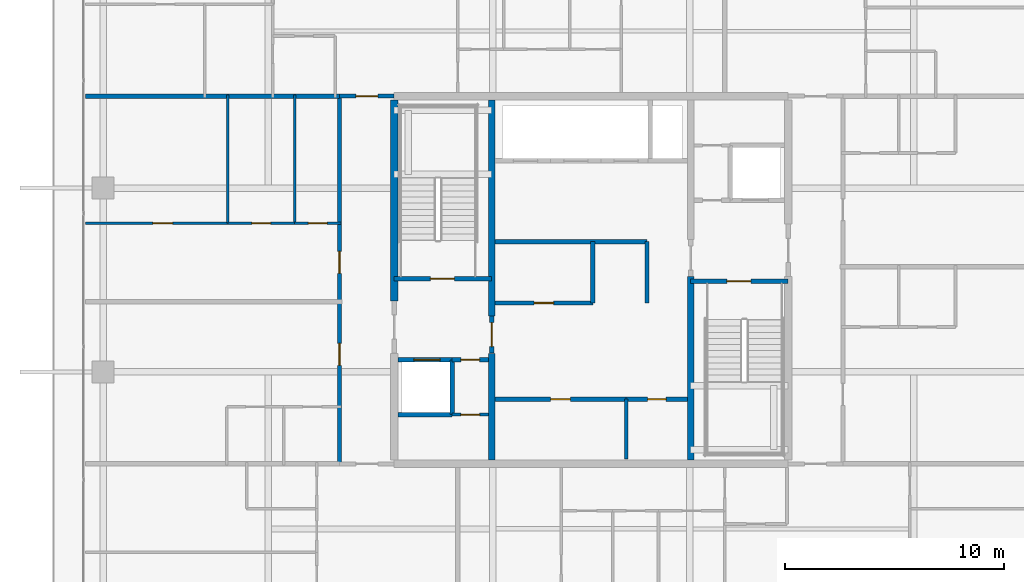
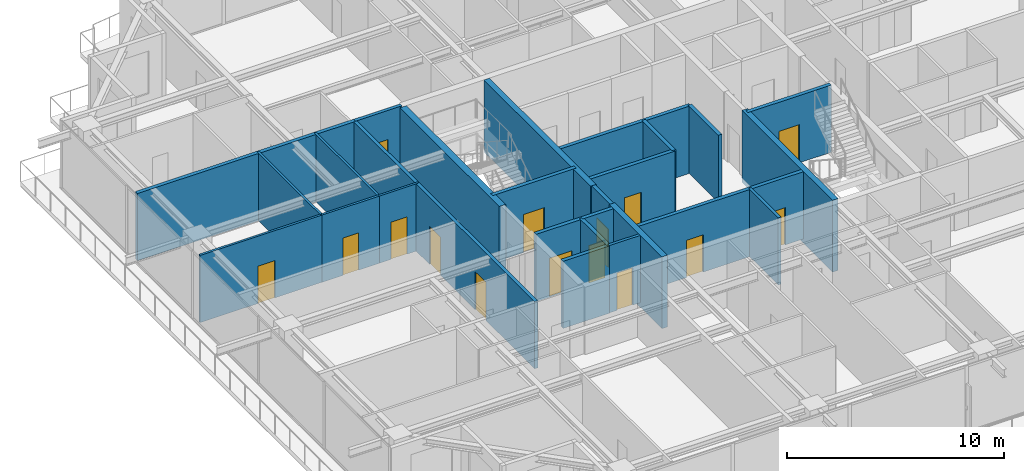
# One storey, part 29 of 40: 27 walls, 15 doors, 15 openings.
"""IFC4 building model written with IfcOpenShell, lengths in metres."""

from ifc_helpers import new_model, si_unit, direction, frame, frame_2d, origin, place, context, subcontext, project, spatial, rectangle, extrude, source, transform, mapped, material, layer, layer_set, type_object, element, fill, save


model = new_model("IFC4")

# Units and contexts
model_context = context("Model", 3, precision=1e-05, world=origin(), true_north=direction((0.0, 1.0)))
body_context = subcontext(model_context, "Body", "Model", "MODEL_VIEW")
ifc_project = project(units=[si_unit("LENGTHUNIT", "METRE"), si_unit("AREAUNIT", "SQUARE_METRE"), si_unit("VOLUMEUNIT", "CUBIC_METRE"), si_unit("PLANEANGLEUNIT", "RADIAN"), si_unit("MASSUNIT", "GRAM", prefix="KILO")], contexts=[model_context])

# Site, building, storey
site_placement = place(None, origin())
site = spatial("IfcSite", under=ifc_project, at=site_placement, CompositionType="ELEMENT")
building_placement = place(site_placement, origin())
building = spatial("IfcBuilding", under=site, at=building_placement, Name="Serunith Strait Residences", CompositionType="ELEMENT")
storey_placement = place(building_placement, frame((0.0, 0.0, 313.699951171875)))
storey = spatial("IfcBuildingStorey", under=building, at=storey_placement, Name="L78", CompositionType="ELEMENT", Elevation=313.699951171875)

# Wall, opening, door
ifc_material_1 = material(Name="Fire-rated masonry service closet wall", Category="masonry")
ifc_layer_1 = layer(ifc_material_1, 0.14990234375, Name="Fire-rated masonry service closet wall")
ifc_layer_set_1 = layer_set([ifc_layer_1], Name="Fire-rated masonry service closet wall")
wall_type_1 = type_object("IfcWallType", Name="IW-BOH-150", PredefinedType="PARTITIONING", material=ifc_layer_set_1)
wall_1_placement = place(storey_placement, frame((26.052001953125, 19.050048828125, 0.0), z_axis=(0.0, 0.0, 1.0), x_axis=(1.0, 0.0, 0.0)))
wall_1 = element("IfcWall", 1, at=wall_1_placement, inside=storey, type_object=wall_type_1, Name="L78 Partition Wall 011", PredefinedType="PARTITIONING", context=body_context, shape_type="SweptSolid", body=[
    extrude(rectangle(XDim=1.64794921875, YDim=0.14990234375, at=frame_2d((0.823974609375, 0.0))), origin(), (0.0, 0.0, 1.0), 3.7900390625),
])
opening_1_placement = place(wall_1_placement, frame((0.39892578125, 0.0, 0.0)))
opening_1 = element("IfcOpeningElement", 2, at=opening_1_placement, cuts=wall_1, Name="Opening FD-850", PredefinedType="OPENING", context=body_context, shape_type="SweptSolid", body=[
    extrude(rectangle(XDim=0.85009765625, YDim=2.10009765625, at=frame_2d((0.425048828125, 1.050048828125))), frame((0.0, 0.0849609375, 0.0), z_axis=(0.0, -1.0, 0.0), x_axis=(1.0, 0.0, 0.0)), (0.0, 0.0, 1.0), 0.169921875),
])
ifc_material_2 = material(Name="Powder-coated steel service closet door", Category="steel")
door_type_1 = type_object("IfcDoorType", Name="FD-BOH-850", OperationType="NOTDEFINED", PredefinedType="DOOR", material=ifc_material_2)
shared_shape_1 = source(origin(), body_context, "Body", "SweptSolid", [
    extrude(rectangle(XDim=0.85009765625, YDim=2.10009765625, at=frame_2d((0.425048828125, 1.050048828125))), frame((0.0, 0.02490234375, 0.0), z_axis=(0.0, -1.0, 0.0), x_axis=(1.0, 0.0, 0.0)), (0.0, 0.0, 1.0), 0.050048828125),
])
door_1_placement = place(opening_1_placement, origin())
door_1 = element("IfcDoor", 3, at=door_1_placement, inside=storey, type_object=door_type_1, Name="L78 Water Meter Door", OperationType="SINGLE_SWING_RIGHT", OverallHeight=2.10009765625, OverallWidth=0.85009765625, PredefinedType="DOOR", context=body_context, shape_type="MappedRepresentation", body=[
    mapped(shared_shape_1, transform((0.0, 0.0, 0.0), scale=1.0)),
])
fill(opening_1, door_1)

# Wall
wall_2_placement = place(storey_placement, frame((34.0, 17.02001953125, 0.0), z_axis=(0.0, 0.0, 1.0), x_axis=(0.0, 1.0, 0.0)))
element("IfcWall", 4, at=wall_2_placement, inside=storey, type_object=wall_type_1, Name="L78 Partition Wall 015", PredefinedType="PARTITIONING", context=body_context, shape_type="SweptSolid", body=[
    extrude(rectangle(XDim=2.72998046875, YDim=0.14990234375, at=frame_2d((1.364990234375, 0.0))), origin(), (0.0, 0.0, 1.0), 3.7900390625),
])

# Wall, opening, door
ifc_material_3 = material(Name="Fire-rated acoustic gypsum partition")
ifc_layer_2 = layer(ifc_material_3, 0.179931640625, Name="Fire-rated acoustic gypsum partition")
ifc_layer_set_2 = layer_set([ifc_layer_2], Name="Fire-rated acoustic gypsum partition")
wall_type_2 = type_object("IfcWallType", Name="IW-CORR-180", PredefinedType="PARTITIONING", material=ifc_layer_set_2)
wall_3_placement = place(storey_placement, frame((20.902099609375, 33.60009765625, 0.0), z_axis=(0.0, 0.0, 1.0), x_axis=(1.0, 0.0, 0.0)))
wall_3 = element("IfcWall", 5, at=wall_3_placement, inside=storey, type_object=wall_type_2, Name="L78 Partition Wall 029", PredefinedType="PARTITIONING", context=body_context, shape_type="SweptSolid", body=[
    extrude(rectangle(XDim=2.495849609375, YDim=0.179931640625, at=frame_2d((1.248046875, 0.0))), origin(), (0.0, 0.0, 1.0), 3.7900390625),
])
opening_2_placement = place(wall_3_placement, frame((0.748046875, 0.0, 0.0)))
opening_2 = element("IfcOpeningElement", 6, at=opening_2_placement, cuts=wall_3, Name="Opening D-APT1000", PredefinedType="OPENING", context=body_context, shape_type="SweptSolid", body=[
    extrude(rectangle(XDim=1.0, YDim=2.14990234375, at=frame_2d((0.5, 1.074951171875))), frame((0.0, 0.10009765625, 0.0), z_axis=(0.0, -1.0, 0.0), x_axis=(1.0, 0.0, 0.0)), (0.0, 0.0, 1.0), 0.199951171875),
])
ifc_material_4 = material(Name="Solid timber engineered fire door", Category="wood")
door_type_2 = type_object("IfcDoorType", Name="ID-APT-1000", OperationType="NOTDEFINED", PredefinedType="DOOR", material=ifc_material_4)
shared_shape_2 = source(origin(), body_context, "Body", "SweptSolid", [
    extrude(rectangle(XDim=1.0, YDim=2.14990234375, at=frame_2d((0.5, 1.074951171875))), frame((0.0, 0.02490234375, 0.0), z_axis=(0.0, -1.0, 0.0), x_axis=(1.0, 0.0, 0.0)), (0.0, 0.0, 1.0), 0.050048828125),
])
door_2_placement = place(opening_2_placement, origin())
door_2 = element("IfcDoor", 7, at=door_2_placement, inside=storey, type_object=door_type_2, Name="L78 Unit 03 Entrance Door", OperationType="SINGLE_SWING_RIGHT", OverallHeight=2.14990234375, OverallWidth=1.0, PredefinedType="DOOR", context=body_context, shape_type="MappedRepresentation", body=[
    mapped(shared_shape_2, transform((0.0, 0.0, 0.0), scale=1.0)),
])
fill(opening_2, door_2)

# Wall, openings, doors
wall_4_placement = place(storey_placement, frame((20.89990234375, 16.800048828125, 0.0), z_axis=(0.0, 0.0, 1.0), x_axis=(0.0, 1.0, 0.0)))
wall_4 = element("IfcWall", 8, at=wall_4_placement, inside=storey, type_object=wall_type_2, Name="L78 Partition Wall 030", PredefinedType="PARTITIONING", context=body_context, shape_type="SweptSolid", body=[
    extrude(rectangle(XDim=16.800048828125, YDim=0.179931640625, at=frame_2d((8.39990234375, 0.0))), origin(), (0.0, 0.0, 1.0), 3.7900390625),
])
opening_3_placement = place(wall_4_placement, frame((4.5029296875, 0.0, 0.0)))
opening_3 = element("IfcOpeningElement", 9, at=opening_3_placement, cuts=wall_4, Name="Opening D-APT1000", PredefinedType="OPENING", context=body_context, shape_type="SweptSolid", body=[
    extrude(rectangle(XDim=1.0, YDim=2.14990234375, at=frame_2d((0.5, 1.074951171875))), frame((0.0, 0.10009765625, 0.0), z_axis=(0.0, -1.0, 0.0), x_axis=(1.0, 0.0, 0.0)), (0.0, 0.0, 1.0), 0.199951171875),
])
opening_4_placement = place(wall_4_placement, frame((8.7060546875, 0.0, 0.0)))
opening_4 = element("IfcOpeningElement", 10, at=opening_4_placement, cuts=wall_4, Name="Opening D-APT1000", PredefinedType="OPENING", context=body_context, shape_type="SweptSolid", body=[
    extrude(rectangle(XDim=1.0, YDim=2.14990234375, at=frame_2d((0.5, 1.074951171875))), frame((0.0, 0.10009765625, 0.0), z_axis=(0.0, -1.0, 0.0), x_axis=(1.0, 0.0, 0.0)), (0.0, 0.0, 1.0), 0.199951171875),
])
door_3_placement = place(opening_3_placement, origin())
door_3 = element("IfcDoor", 11, at=door_3_placement, inside=storey, type_object=door_type_2, Name="L78 Unit 05 Entrance Door", OperationType="SINGLE_SWING_LEFT", OverallHeight=2.14990234375, OverallWidth=1.0, PredefinedType="DOOR", context=body_context, shape_type="MappedRepresentation", body=[
    mapped(shared_shape_2, transform((0.0, 0.0, 0.0), scale=1.0)),
])
fill(opening_3, door_3)
door_4_placement = place(opening_4_placement, origin())
door_4 = element("IfcDoor", 12, at=door_4_placement, inside=storey, type_object=door_type_2, Name="L78 Unit 06 Entrance Door", OperationType="SINGLE_SWING_RIGHT", OverallHeight=2.14990234375, OverallWidth=1.0, PredefinedType="DOOR", context=body_context, shape_type="MappedRepresentation", body=[
    mapped(shared_shape_2, transform((0.0, 0.0, 0.0), scale=1.0)),
])
fill(opening_4, door_4)

# Wall, opening, door
ifc_material_5 = material(Name="Lightweight steel-stud gypsum partition", Category="steel")
ifc_layer_3 = layer(ifc_material_5, 0.1201171875, Name="Lightweight steel-stud gypsum partition")
ifc_layer_set_3 = layer_set([ifc_layer_3], Name="Lightweight steel-stud gypsum partition")
wall_type_3 = type_object("IfcWallType", Name="IW-PART-120", PredefinedType="PARTITIONING", material=ifc_layer_set_3)
wall_5_placement = place(storey_placement, frame((9.294921875, 27.800048828125, 0.0), z_axis=(0.0, 0.0, 1.0), x_axis=(1.0, 0.0, 0.0)))
wall_5 = element("IfcWall", 13, at=wall_5_placement, inside=storey, type_object=wall_type_3, Name="L78 Partition Wall 096", PredefinedType="PARTITIONING", context=body_context, shape_type="SweptSolid", body=[
    extrude(rectangle(XDim=6.502197265625, YDim=0.1201171875, at=frame_2d((3.2509765625, 0.0))), origin(), (0.0, 0.0, 1.0), 3.7900390625),
])
opening_5_placement = place(wall_5_placement, frame((3.0810546875, 0.0, 0.0)))
opening_5 = element("IfcOpeningElement", 14, at=opening_5_placement, cuts=wall_5, Name="Opening D-RM900", PredefinedType="OPENING", context=body_context, shape_type="SweptSolid", body=[
    extrude(rectangle(XDim=0.89990234375, YDim=2.10009765625, at=frame_2d((0.449951171875, 1.050048828125))), frame((0.0, 0.070068359375, 0.0), z_axis=(0.0, -1.0, 0.0), x_axis=(1.0, 0.0, 0.0)), (0.0, 0.0, 1.0), 0.14013671875),
])
ifc_material_6 = material(Name="Engineered timber flush bedroom door", Category="wood")
door_type_3 = type_object("IfcDoorType", Name="ID-ROOM-900", OperationType="NOTDEFINED", PredefinedType="DOOR", material=ifc_material_6)
shared_shape_3 = source(origin(), body_context, "Body", "SweptSolid", [
    extrude(rectangle(XDim=0.89990234375, YDim=2.10009765625, at=frame_2d((0.449951171875, 1.050048828125))), frame((0.0, 0.02490234375, 0.0), z_axis=(0.0, -1.0, 0.0), x_axis=(1.0, 0.0, 0.0)), (0.0, 0.0, 1.0), 0.050048828125),
])
door_5_placement = place(opening_5_placement, origin())
door_5 = element("IfcDoor", 15, at=door_5_placement, inside=storey, type_object=door_type_3, Name="L78 Master Bedroom 1 7806 Door", OperationType="SINGLE_SWING_LEFT", OverallHeight=2.10009765625, OverallWidth=0.89990234375, PredefinedType="DOOR", context=body_context, shape_type="MappedRepresentation", body=[
    mapped(shared_shape_3, transform((0.0, 0.0, 0.0), scale=1.0)),
])
fill(opening_5, door_5)

# Walls
for number, where, z_axis, x_axis, name in (
    (16, (15.797119140625, 27.800048828125, 0.0), (0.0, 0.0, 1.0), (0.0, 1.0, 0.0), "L78 Partition Wall 097"),
    (17, (18.85009765625, 27.800048828125, 0.0), (0.0, 0.0, 1.0), (0.0, 1.0, 0.0), "L78 Partition Wall 098"),
):
    element("IfcWall", number, at=place(storey_placement, frame(where, z_axis=z_axis, x_axis=x_axis)), inside=storey, type_object=wall_type_3, Name=name, PredefinedType="PARTITIONING", context=body_context, shape_type="SweptSolid", body=[
        extrude(rectangle(XDim=5.85986328125, YDim=0.1201171875, at=frame_2d((2.929931640625, 0.0))), origin(), (0.0, 0.0, 1.0), 3.7900390625),
    ])

# Wall, opening, door
wall_6_placement = place(storey_placement, frame((15.799072265625, 27.800048828125, 0.0), z_axis=(0.0, 0.0, 1.0), x_axis=(1.0, 0.0, 0.0)))
wall_6 = element("IfcWall", 18, at=wall_6_placement, inside=storey, type_object=wall_type_3, Name="L78 Partition Wall 099", PredefinedType="PARTITIONING", context=body_context, shape_type="SweptSolid", body=[
    extrude(rectangle(XDim=3.051025390625, YDim=0.1201171875, at=frame_2d((1.525390625, 0.0))), origin(), (0.0, 0.0, 1.0), 3.7900390625),
])
opening_6_placement = place(wall_6_placement, frame((1.10107421875, 0.0, 0.0)))
opening_6 = element("IfcOpeningElement", 19, at=opening_6_placement, cuts=wall_6, Name="Opening D-RM850", PredefinedType="OPENING", context=body_context, shape_type="SweptSolid", body=[
    extrude(rectangle(XDim=0.85009765625, YDim=2.10009765625, at=frame_2d((0.425048828125, 1.050048828125))), frame((0.0, 0.070068359375, 0.0), z_axis=(0.0, -1.0, 0.0), x_axis=(1.0, 0.0, 0.0)), (0.0, 0.0, 1.0), 0.14013671875),
])
ifc_material_7 = material(Name="Engineered timber flush study and kitchen door", Category="wood")
door_type_4 = type_object("IfcDoorType", Name="ID-ROOM-850", OperationType="NOTDEFINED", PredefinedType="DOOR", material=ifc_material_7)
door_6_placement = place(opening_6_placement, origin())
door_6 = element("IfcDoor", 20, at=door_6_placement, inside=storey, type_object=door_type_4, Name="L78 Kitchen 7806 Door", OperationType="SINGLE_SWING_RIGHT", OverallHeight=2.10009765625, OverallWidth=0.85009765625, PredefinedType="DOOR", context=body_context, shape_type="MappedRepresentation", body=[
    mapped(shared_shape_1, transform((0.0, 0.0, 0.0), scale=1.0)),
])
fill(opening_6, door_6)

wall_7_placement = place(storey_placement, frame((18.85205078125, 27.800048828125, 0.0), z_axis=(0.0, 0.0, 1.0), x_axis=(1.0, 0.0, 0.0)))
wall_7 = element("IfcWall", 21, at=wall_7_placement, inside=storey, type_object=wall_type_3, Name="L78 Partition Wall 100", PredefinedType="PARTITIONING", context=body_context, shape_type="SweptSolid", body=[
    extrude(rectangle(XDim=2.10791015625, YDim=0.1201171875, at=frame_2d((1.053955078125, 0.0))), origin(), (0.0, 0.0, 1.0), 3.7900390625),
])
opening_7_placement = place(wall_7_placement, frame((0.62890625, 0.0, 0.0)))
opening_7 = element("IfcOpeningElement", 22, at=opening_7_placement, cuts=wall_7, Name="Opening D-BTH850", PredefinedType="OPENING", context=body_context, shape_type="SweptSolid", body=[
    extrude(rectangle(XDim=0.85009765625, YDim=2.10009765625, at=frame_2d((0.425048828125, 1.050048828125))), frame((0.0, 0.070068359375, 0.0), z_axis=(0.0, -1.0, 0.0), x_axis=(1.0, 0.0, 0.0)), (0.0, 0.0, 1.0), 0.14013671875),
])
ifc_material_8 = material(Name="Moisture-resistant timber bathroom door", Category="wood")
door_type_5 = type_object("IfcDoorType", Name="ID-BATH-850", OperationType="NOTDEFINED", PredefinedType="DOOR", material=ifc_material_8)
door_7_placement = place(opening_7_placement, origin())
door_7 = element("IfcDoor", 23, at=door_7_placement, inside=storey, type_object=door_type_5, Name="L78 Bathroom 7806 Door", OperationType="SINGLE_SWING_LEFT", OverallHeight=2.10009765625, OverallWidth=0.85009765625, PredefinedType="DOOR", context=body_context, shape_type="MappedRepresentation", body=[
    mapped(shared_shape_1, transform((0.0, 0.0, 0.0), scale=1.0)),
])
fill(opening_7, door_7)

# Wall
ifc_material_9 = material(Name="Twin-stud acoustic gypsum board partition")
ifc_layer_4 = layer(ifc_material_9, 0.199951171875, Name="Twin-stud acoustic gypsum board partition")
ifc_layer_set_4 = layer_set([ifc_layer_4], Name="Twin-stud acoustic gypsum board partition")
wall_type_4 = type_object("IfcWallType", Name="IW-PARTY-200", PredefinedType="PARTITIONING", material=ifc_layer_set_4)
wall_8_placement = place(storey_placement, frame((9.281982421875, 33.60009765625, 0.0), z_axis=(0.0, 0.0, 1.0), x_axis=(1.0, 0.0, 0.0)))
element("IfcWall", 24, at=wall_8_placement, inside=storey, type_object=wall_type_4, Name="L78 Partition Wall 026", PredefinedType="PARTITIONING", context=body_context, shape_type="SweptSolid", body=[
    extrude(rectangle(XDim=11.617919921875, YDim=0.199951171875, at=frame_2d((5.80908203125, 0.0))), origin(), (0.0, 0.0, 1.0), 3.7900390625),
])

# Wall, opening, door
ifc_material_10 = material(Name="Autoclaved aerated concrete blockwork", Category="masonry")
ifc_layer_5 = layer(ifc_material_10, 0.199951171875, Name="Autoclaved aerated concrete blockwork")
ifc_layer_set_5 = layer_set([ifc_layer_5], Name="Autoclaved aerated concrete blockwork")
wall_type_5 = type_object("IfcWallType", Name="IW-SHAFT-200", PredefinedType="STANDARD", material=ifc_layer_set_5)
wall_9_placement = place(storey_placement, frame((23.39990234375, 25.25, 0.0), z_axis=(0.0, 0.0, 1.0), x_axis=(1.0, 0.0, 0.0)))
wall_9 = element("IfcWall", 25, at=wall_9_placement, inside=storey, type_object=wall_type_5, Name="L78 ST-1 South Shaft Wall", PredefinedType="STANDARD", context=body_context, shape_type="SweptSolid", body=[
    extrude(rectangle(XDim=4.4501953125, YDim=0.199951171875, at=frame_2d((2.22509765625, 0.0))), origin(), (0.0, 0.0, 1.0), 3.7900390625),
])
opening_8_placement = place(wall_9_placement, frame((1.64990234375, 0.0, 0.0)))
opening_8 = element("IfcOpeningElement", 26, at=opening_8_placement, cuts=wall_9, Name="Opening FD-1100", PredefinedType="OPENING", context=body_context, shape_type="SweptSolid", body=[
    extrude(rectangle(XDim=1.10009765625, YDim=2.14990234375, at=frame_2d((0.550048828125, 1.074951171875))), frame((0.0, 0.10986328125, 0.0), z_axis=(0.0, -1.0, 0.0), x_axis=(1.0, 0.0, 0.0)), (0.0, 0.0, 1.0), 0.219970703125),
])
ifc_material_11 = material(Name="Galvanised steel fire door leaf", Category="steel")
door_type_6 = type_object("IfcDoorType", Name="FD-STAIR-1100", OperationType="NOTDEFINED", PredefinedType="DOOR", material=ifc_material_11)
shared_shape_4 = source(origin(), body_context, "Body", "SweptSolid", [
    extrude(rectangle(XDim=1.10009765625, YDim=2.14990234375, at=frame_2d((0.550048828125, 1.074951171875))), frame((0.0, 0.02490234375, 0.0), z_axis=(0.0, -1.0, 0.0), x_axis=(1.0, 0.0, 0.0)), (0.0, 0.0, 1.0), 0.050048828125),
])
door_8_placement = place(opening_8_placement, origin())
door_8 = element("IfcDoor", 27, at=door_8_placement, inside=storey, type_object=door_type_6, Name="L78 ST-1 Escape Stair Door", OperationType="SINGLE_SWING_RIGHT", OverallHeight=2.14990234375, OverallWidth=1.10009765625, PredefinedType="DOOR", context=body_context, shape_type="MappedRepresentation", body=[
    mapped(shared_shape_4, transform((0.0, 0.0, 0.0), scale=1.0)),
])
fill(opening_8, door_8)

wall_10_placement = place(storey_placement, frame((36.949951171875, 25.14990234375, 0.0), z_axis=(0.0, 0.0, 1.0), x_axis=(1.0, 0.0, 0.0)))
wall_10 = element("IfcWall", 28, at=wall_10_placement, inside=storey, type_object=wall_type_5, Name="L78 ST-2 North Shaft Wall", PredefinedType="STANDARD", context=body_context, shape_type="SweptSolid", body=[
    extrude(rectangle(XDim=4.449951171875, YDim=0.199951171875, at=frame_2d((2.22509765625, 0.0))), origin(), (0.0, 0.0, 1.0), 3.7900390625),
])
opening_9_placement = place(wall_10_placement, frame((1.64990234375, 0.0, 0.0)))
opening_9 = element("IfcOpeningElement", 29, at=opening_9_placement, cuts=wall_10, Name="Opening FD-1100", PredefinedType="OPENING", context=body_context, shape_type="SweptSolid", body=[
    extrude(rectangle(XDim=1.10009765625, YDim=2.14990234375, at=frame_2d((0.550048828125, 1.074951171875))), frame((0.0, 0.10986328125, 0.0), z_axis=(0.0, -1.0, 0.0), x_axis=(1.0, 0.0, 0.0)), (0.0, 0.0, 1.0), 0.219970703125),
])
door_9_placement = place(opening_9_placement, origin())
door_9 = element("IfcDoor", 30, at=door_9_placement, inside=storey, type_object=door_type_6, Name="L78 ST-2 Escape Stair Door", OperationType="SINGLE_SWING_LEFT", OverallHeight=2.14990234375, OverallWidth=1.10009765625, PredefinedType="DOOR", context=body_context, shape_type="MappedRepresentation", body=[
    mapped(shared_shape_4, transform((0.0, 0.0, 0.0), scale=1.0)),
])
fill(opening_9, door_9)

wall_11_placement = place(storey_placement, frame((23.574951171875, 21.550048828125, 0.0), z_axis=(0.0, 0.0, 1.0), x_axis=(1.0, 0.0, 0.0)))
wall_11 = element("IfcWall", 31, at=wall_11_placement, inside=storey, type_object=wall_type_5, Name="L78 FL-1 North Shaft Wall", PredefinedType="STANDARD", context=body_context, shape_type="SweptSolid", body=[
    extrude(rectangle(XDim=2.47509765625, YDim=0.199951171875, at=frame_2d((1.237548828125, 0.0))), origin(), (0.0, 0.0, 1.0), 3.7900390625),
])
opening_10_placement = place(wall_11_placement, frame((0.72509765625, 0.0, 0.0)))
opening_10 = element("IfcOpeningElement", 32, at=opening_10_placement, cuts=wall_11, Name="Opening LD-FF1200", PredefinedType="OPENING", context=body_context, shape_type="SweptSolid", body=[
    extrude(rectangle(XDim=1.199951171875, YDim=2.199951171875, at=frame_2d((0.60009765625, 1.10009765625))), frame((0.0, 0.10986328125, 0.0), z_axis=(0.0, -1.0, 0.0), x_axis=(1.0, 0.0, 0.0)), (0.0, 0.0, 1.0), 0.219970703125),
])
ifc_material_12 = material(Name="Brushed stainless steel landing door", Category="steel")
door_type_7 = type_object("IfcDoorType", Name="LD-FF-1200", OperationType="DOUBLE_DOOR_SLIDING", PredefinedType="DOOR", material=ifc_material_12)
shared_shape_5 = source(origin(), body_context, "Body", "SweptSolid", [
    extrude(rectangle(XDim=1.199951171875, YDim=2.199951171875, at=frame_2d((0.60009765625, 1.10009765625))), frame((0.0, 0.02490234375, 0.0), z_axis=(0.0, -1.0, 0.0), x_axis=(1.0, 0.0, 0.0)), (0.0, 0.0, 1.0), 0.050048828125),
])
door_10_placement = place(opening_10_placement, origin())
door_10 = element("IfcDoor", 33, at=door_10_placement, inside=storey, type_object=door_type_7, Name="L78 FL-1 Landing Door", OperationType="DOUBLE_DOOR_SLIDING", OverallHeight=2.199951171875, OverallWidth=1.199951171875, PredefinedType="DOOR", context=body_context, shape_type="MappedRepresentation", body=[
    mapped(shared_shape_5, transform((0.0, 0.0, 0.0), scale=1.0)),
])
fill(opening_10, door_10)

# Walls
wall_12_placement = place(storey_placement, frame((26.050048828125, 19.050048828125, 0.0), z_axis=(0.0, 0.0, 1.0), x_axis=(0.0, 1.0, 0.0)))
element("IfcWall", 34, at=wall_12_placement, inside=storey, type_object=wall_type_5, Name="L78 Partition Wall 001", PredefinedType="STANDARD", context=body_context, shape_type="SweptSolid", body=[
    extrude(rectangle(XDim=2.5, YDim=0.199951171875, at=frame_2d((1.25, 0.0))), origin(), (0.0, 0.0, 1.0), 3.7900390625),
])
wall_13_placement = place(storey_placement, frame((23.574951171875, 19.050048828125, 0.0), z_axis=(0.0, 0.0, 1.0), x_axis=(1.0, 0.0, 0.0)))
element("IfcWall", 35, at=wall_13_placement, inside=storey, type_object=wall_type_5, Name="L78 Partition Wall 002", PredefinedType="STANDARD", context=body_context, shape_type="SweptSolid", body=[
    extrude(rectangle(XDim=2.47509765625, YDim=0.199951171875, at=frame_2d((1.237548828125, 0.0))), origin(), (0.0, 0.0, 1.0), 3.7900390625),
])

# Wall, opening, door
wall_14_placement = place(storey_placement, frame((26.052001953125, 21.550048828125, 0.0), z_axis=(0.0, 0.0, 1.0), x_axis=(1.0, 0.0, 0.0)))
wall_14 = element("IfcWall", 36, at=wall_14_placement, inside=storey, type_object=wall_type_5, Name="L78 Partition Wall 003", PredefinedType="STANDARD", context=body_context, shape_type="SweptSolid", body=[
    extrude(rectangle(XDim=1.64794921875, YDim=0.199951171875, at=frame_2d((0.823974609375, 0.0))), origin(), (0.0, 0.0, 1.0), 3.7900390625),
])
opening_11_placement = place(wall_14_placement, frame((0.39892578125, 0.0, 0.0)))
opening_11 = element("IfcOpeningElement", 37, at=opening_11_placement, cuts=wall_14, Name="Opening FD-850", PredefinedType="OPENING", context=body_context, shape_type="SweptSolid", body=[
    extrude(rectangle(XDim=0.85009765625, YDim=2.10009765625, at=frame_2d((0.425048828125, 1.050048828125))), frame((0.0, 0.10986328125, 0.0), z_axis=(0.0, -1.0, 0.0), x_axis=(1.0, 0.0, 0.0)), (0.0, 0.0, 1.0), 0.219970703125),
])
door_11_placement = place(opening_11_placement, origin())
door_11 = element("IfcDoor", 38, at=door_11_placement, inside=storey, type_object=door_type_1, Name="L78 South-West Core Service Door", OperationType="SINGLE_SWING_RIGHT", OverallHeight=2.10009765625, OverallWidth=0.85009765625, PredefinedType="DOOR", context=body_context, shape_type="MappedRepresentation", body=[
    mapped(shared_shape_1, transform((0.0, 0.0, 0.0), scale=1.0)),
])
fill(opening_11, door_11)

wall_15_placement = place(storey_placement, frame((27.85009765625, 21.85205078125, 0.0), z_axis=(0.0, 0.0, 1.0), x_axis=(0.0, 1.0, 0.0)))
wall_15 = element("IfcWall", 39, at=wall_15_placement, inside=storey, type_object=wall_type_5, Name="L78 Partition Wall 009", PredefinedType="STANDARD", context=body_context, shape_type="SweptSolid", body=[
    extrude(rectangle(XDim=1.696044921875, YDim=0.199951171875, at=frame_2d((0.84814453125, 0.0))), origin(), (0.0, 0.0, 1.0), 3.7900390625),
])
opening_12_placement = place(wall_15_placement, frame((0.298095703125, 0.0, 0.0)))
opening_12 = element("IfcOpeningElement", 40, at=opening_12_placement, cuts=wall_15, Name="Opening FD-FFL", PredefinedType="OPENING", context=body_context, shape_type="SweptSolid", body=[
    extrude(rectangle(XDim=1.10009765625, YDim=2.14990234375, at=frame_2d((0.550048828125, 1.074951171875))), frame((0.0, 0.10986328125, 0.0), z_axis=(0.0, -1.0, 0.0), x_axis=(1.0, 0.0, 0.0)), (0.0, 0.0, 1.0), 0.219970703125),
])
ifc_material_13 = material(Name="Glazed steel smoke-lobby fire door", Category="steel")
door_type_8 = type_object("IfcDoorType", Name="FD-FFL-1100", OperationType="NOTDEFINED", PredefinedType="DOOR", material=ifc_material_13)
door_12_placement = place(opening_12_placement, origin())
door_12 = element("IfcDoor", 41, at=door_12_placement, inside=storey, type_object=door_type_8, Name="L78 FFL-1 Lift Lobby Door", OperationType="SINGLE_SWING_RIGHT", OverallHeight=2.14990234375, OverallWidth=1.10009765625, PredefinedType="DOOR", context=body_context, shape_type="MappedRepresentation", body=[
    mapped(shared_shape_4, transform((0.0, 0.0, 0.0), scale=1.0)),
])
fill(opening_12, door_12)

wall_16_placement = place(storey_placement, frame((28.0, 19.75, 0.0), z_axis=(0.0, 0.0, 1.0), x_axis=(1.0, 0.0, 0.0)))
wall_16 = element("IfcWall", 42, at=wall_16_placement, inside=storey, type_object=wall_type_5, Name="L78 Partition Wall 013", PredefinedType="STANDARD", context=body_context, shape_type="SweptSolid", body=[
    extrude(rectangle(XDim=6.0, YDim=0.199951171875, at=frame_2d((3.0, 0.0))), origin(), (0.0, 0.0, 1.0), 3.7900390625),
])
opening_13_placement = place(wall_16_placement, frame((2.550048828125, 0.0, 0.0)))
opening_13 = element("IfcOpeningElement", 43, at=opening_13_placement, cuts=wall_16, Name="Opening FD-900", PredefinedType="OPENING", context=body_context, shape_type="SweptSolid", body=[
    extrude(rectangle(XDim=0.89990234375, YDim=2.10009765625, at=frame_2d((0.449951171875, 1.050048828125))), frame((0.0, 0.10986328125, 0.0), z_axis=(0.0, -1.0, 0.0), x_axis=(1.0, 0.0, 0.0)), (0.0, 0.0, 1.0), 0.219970703125),
])
ifc_material_14 = material(Name="Powder-coated steel riser door", Category="steel")
door_type_9 = type_object("IfcDoorType", Name="FD-BOH-900", OperationType="NOTDEFINED", PredefinedType="DOOR", material=ifc_material_14)
door_13_placement = place(opening_13_placement, origin())
door_13 = element("IfcDoor", 44, at=door_13_placement, inside=storey, type_object=door_type_9, Name="L78 Telecoms Comms Door", OperationType="SINGLE_SWING_RIGHT", OverallHeight=2.10009765625, OverallWidth=0.89990234375, PredefinedType="DOOR", context=body_context, shape_type="MappedRepresentation", body=[
    mapped(shared_shape_3, transform((0.0, 0.0, 0.0), scale=1.0)),
])
fill(opening_13, door_13)

wall_17_placement = place(storey_placement, frame((34.001953125, 19.75, 0.0), z_axis=(0.0, 0.0, 1.0), x_axis=(1.0, 0.0, 0.0)))
wall_17 = element("IfcWall", 45, at=wall_17_placement, inside=storey, type_object=wall_type_5, Name="L78 Partition Wall 014", PredefinedType="STANDARD", context=body_context, shape_type="SweptSolid", body=[
    extrude(rectangle(XDim=2.798095703125, YDim=0.199951171875, at=frame_2d((1.39892578125, 0.0))), origin(), (0.0, 0.0, 1.0), 3.7900390625),
])
opening_14_placement = place(wall_17_placement, frame((0.97412109375, 0.0, 0.0)))
opening_14 = element("IfcOpeningElement", 46, at=opening_14_placement, cuts=wall_17, Name="Opening FD-850", PredefinedType="OPENING", context=body_context, shape_type="SweptSolid", body=[
    extrude(rectangle(XDim=0.85009765625, YDim=2.10009765625, at=frame_2d((0.425048828125, 1.050048828125))), frame((0.0, 0.10986328125, 0.0), z_axis=(0.0, -1.0, 0.0), x_axis=(1.0, 0.0, 0.0)), (0.0, 0.0, 1.0), 0.219970703125),
])
door_14_placement = place(opening_14_placement, origin())
door_14 = element("IfcDoor", 47, at=door_14_placement, inside=storey, type_object=door_type_1, Name="L78 Floor Linen Closet Door", OperationType="SINGLE_SWING_LEFT", OverallHeight=2.10009765625, OverallWidth=0.85009765625, PredefinedType="DOOR", context=body_context, shape_type="MappedRepresentation", body=[
    mapped(shared_shape_1, transform((0.0, 0.0, 0.0), scale=1.0)),
])
fill(opening_14, door_14)

# Walls
wall_18_placement = place(storey_placement, frame((28.0, 26.949951171875, 0.0), z_axis=(0.0, 0.0, 1.0), x_axis=(1.0, 0.0, 0.0)))
element("IfcWall", 48, at=wall_18_placement, inside=storey, type_object=wall_type_5, Name="L78 Partition Wall 016", PredefinedType="STANDARD", context=body_context, shape_type="SweptSolid", body=[
    extrude(rectangle(XDim=6.949951171875, YDim=0.199951171875, at=frame_2d((3.47509765625, 0.0))), origin(), (0.0, 0.0, 1.0), 3.7900390625),
])
wall_19_placement = place(storey_placement, frame((34.949951171875, 24.14990234375, 0.0), z_axis=(0.0, 0.0, 1.0), x_axis=(0.0, 1.0, 0.0)))
element("IfcWall", 49, at=wall_19_placement, inside=storey, type_object=wall_type_5, Name="L78 Partition Wall 017", PredefinedType="STANDARD", context=body_context, shape_type="SweptSolid", body=[
    extrude(rectangle(XDim=2.800048828125, YDim=0.199951171875, at=frame_2d((1.39990234375, 0.0))), origin(), (0.0, 0.0, 1.0), 3.7900390625),
])

# Wall, opening, door
wall_20_placement = place(storey_placement, frame((28.0, 24.14990234375, 0.0), z_axis=(0.0, 0.0, 1.0), x_axis=(1.0, 0.0, 0.0)))
wall_20 = element("IfcWall", 50, at=wall_20_placement, inside=storey, type_object=wall_type_5, Name="L78 Partition Wall 018", PredefinedType="STANDARD", context=body_context, shape_type="SweptSolid", body=[
    extrude(rectangle(XDim=4.47998046875, YDim=0.199951171875, at=frame_2d((2.239990234375, 0.0))), origin(), (0.0, 0.0, 1.0), 3.7900390625),
])
opening_15_placement = place(wall_20_placement, frame((1.7900390625, 0.0, 0.0)))
opening_15 = element("IfcOpeningElement", 51, at=opening_15_placement, cuts=wall_20, Name="Opening FD-900", PredefinedType="OPENING", context=body_context, shape_type="SweptSolid", body=[
    extrude(rectangle(XDim=0.89990234375, YDim=2.10009765625, at=frame_2d((0.449951171875, 1.050048828125))), frame((0.0, 0.10986328125, 0.0), z_axis=(0.0, -1.0, 0.0), x_axis=(1.0, 0.0, 0.0)), (0.0, 0.0, 1.0), 0.219970703125),
])
door_15_placement = place(opening_15_placement, origin())
door_15 = element("IfcDoor", 52, at=door_15_placement, inside=storey, type_object=door_type_9, Name="L78 Equipment Store Door", OperationType="SINGLE_SWING_RIGHT", OverallHeight=2.10009765625, OverallWidth=0.89990234375, PredefinedType="DOOR", context=body_context, shape_type="MappedRepresentation", body=[
    mapped(shared_shape_3, transform((0.0, 0.0, 0.0), scale=1.0)),
])
fill(opening_15, door_15)

# Walls
wall_21_placement = place(storey_placement, frame((32.47998046875, 24.14990234375, 0.0), z_axis=(0.0, 0.0, 1.0), x_axis=(0.0, 1.0, 0.0)))
element("IfcWall", 53, at=wall_21_placement, inside=storey, type_object=wall_type_5, Name="L78 Partition Wall 019", PredefinedType="STANDARD", context=body_context, shape_type="SweptSolid", body=[
    extrude(rectangle(XDim=2.800048828125, YDim=0.199951171875, at=frame_2d((1.39990234375, 0.0))), origin(), (0.0, 0.0, 1.0), 3.7900390625),
])
ifc_material_15 = material(Name="Concrete C60/75", Category="concrete")
ifc_layer_6 = layer(ifc_material_15, 0.300048828125, Name="Concrete C60/75")
ifc_layer_set_6 = layer_set([ifc_layer_6], Name="Concrete C60/75")
wall_type_6 = type_object("IfcWallType", Name="SW-300-C60", PredefinedType="SHEAR", material=ifc_layer_set_6)
wall_22_placement = place(storey_placement, frame((27.85009765625, 16.97509765625, -0.260009765625), z_axis=(0.0, 0.0, 1.0), x_axis=(0.0, 1.0, 0.0)))
element("IfcWall", 54, at=wall_22_placement, inside=storey, type_object=wall_type_6, Name="L78 Core Internal West Web South Pier", PredefinedType="SHEAR", context=body_context, shape_type="SweptSolid", body=[
    extrude(rectangle(XDim=4.875, YDim=0.300048828125, at=frame_2d((2.4375, 0.0))), origin(), (0.0, 0.0, 1.0), 4.048095703125),
])
wall_23_placement = place(storey_placement, frame((27.85009765625, 23.550048828125, -0.260009765625), z_axis=(0.0, 0.0, 1.0), x_axis=(0.0, 1.0, 0.0)))
element("IfcWall", 55, at=wall_23_placement, inside=storey, type_object=wall_type_6, Name="L78 Core Internal West Web North Pier", PredefinedType="SHEAR", context=body_context, shape_type="SweptSolid", body=[
    extrude(rectangle(XDim=9.875, YDim=0.300048828125, at=frame_2d((4.9375, 0.0))), origin(), (0.0, 0.0, 1.0), 4.048095703125),
])
wall_24_placement = place(storey_placement, frame((36.949951171875, 16.97509765625, -0.260009765625), z_axis=(0.0, 0.0, 1.0), x_axis=(0.0, 1.0, 0.0)))
element("IfcWall", 56, at=wall_24_placement, inside=storey, type_object=wall_type_6, Name="L78 Core Internal East Web South Pier", PredefinedType="SHEAR", context=body_context, shape_type="SweptSolid", body=[
    extrude(rectangle(XDim=8.375, YDim=0.300048828125, at=frame_2d((4.1875, 0.0))), origin(), (0.0, 0.0, 1.0), 4.048095703125),
])
ifc_layer_7 = layer(ifc_material_15, 0.35009765625, Name="Concrete C60/75")
ifc_layer_set_7 = layer_set([ifc_layer_7], Name="Concrete C60/75")
wall_type_7 = type_object("IfcWallType", Name="SW-350-C60", PredefinedType="SHEAR", material=ifc_layer_set_7)
wall_25_placement = place(storey_placement, frame((23.39990234375, 24.25, -0.260009765625), z_axis=(0.0, 0.0, 1.0), x_axis=(0.0, 1.0, 0.0)))
element("IfcWall", 57, at=wall_25_placement, inside=storey, type_object=wall_type_7, Name="L78 Core West Shear Wall North Pier", PredefinedType="SHEAR", context=body_context, shape_type="SweptSolid", body=[
    extrude(rectangle(XDim=9.175048828125, YDim=0.35009765625, at=frame_2d((4.58740234375, 0.0))), origin(), (0.0, 0.0, 1.0), 4.048095703125),
])

save(model, "model.ifc")
